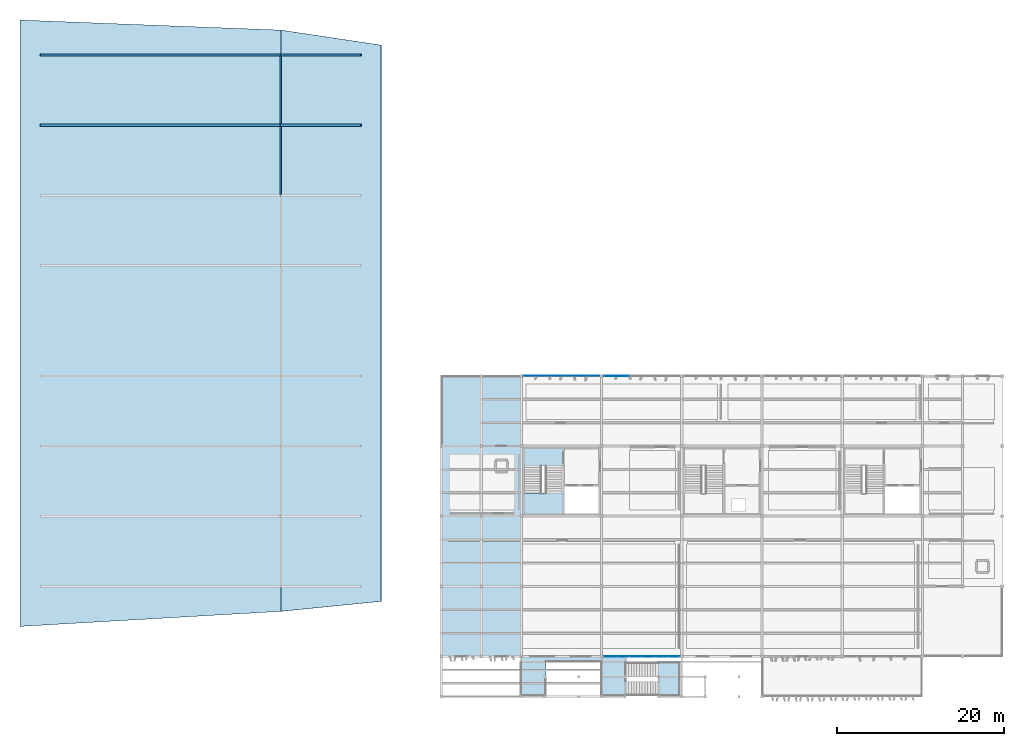
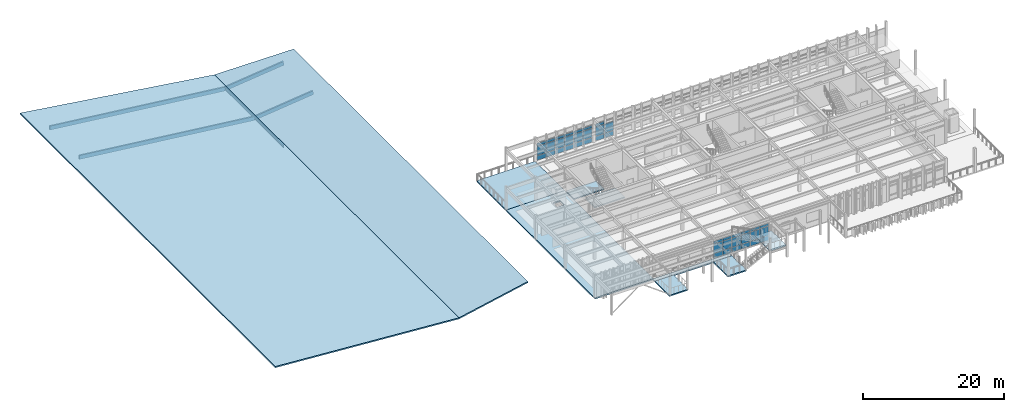
# One storey, part 11 of 18: 41 plates, 10 slabs, 4 members, 2 beams, 5 elements without a shape of their own.
"""IFC4 building model written with IfcOpenShell, lengths in metres."""

from ifc_helpers import new_model, si_unit, direction, frame, origin, origin_2d, place, context, subcontext, project, spatial, polyline, rectangle, i_section, outline, extrude, material, layer, layer_set, material_profile, profile_set, type_object, element, aggregate, save


model = new_model("IFC4")

# Units and contexts
model_context = context("Model", 3, precision=1e-05, world=origin(), true_north=direction((0.0, 1.0)))
body_context = subcontext(model_context, "Body", "Model", "MODEL_VIEW")
ifc_project = project(units=[si_unit("LENGTHUNIT", "METRE"), si_unit("AREAUNIT", "SQUARE_METRE"), si_unit("VOLUMEUNIT", "CUBIC_METRE"), si_unit("PLANEANGLEUNIT", "RADIAN"), si_unit("MASSUNIT", "GRAM", prefix="KILO")], contexts=[model_context])

# Site, building, storey
site_placement = place(None, origin())
site = spatial("IfcSite", under=ifc_project, at=site_placement, CompositionType="ELEMENT")
building_placement = place(site_placement, origin())
building = spatial("IfcBuilding", under=site, at=building_placement, Name="Kolvemor Railside Polytechnic", CompositionType="ELEMENT")
storey_placement = place(building_placement, frame((0.0, 0.0, 18.60009765625)))
storey = spatial("IfcBuildingStorey", under=building, at=storey_placement, Name="L04", CompositionType="ELEMENT", Elevation=18.60009765625)

# Beams
ifc_material_1 = material(Name="Steel S355", Category="steel")
ifc_material_profile_1 = material_profile(ifc_material_1, i_section(OverallWidth=0.19091796875, OverallDepth=0.4599609375, WebThickness=0.010009765625, FlangeThickness=0.01611328125, FilletRadius=0.012939453125, at=origin_2d()), Name="W460x82")
ifc_profile_set_1 = profile_set([ifc_material_profile_1], Name="Steel S355")
beam_type = type_object("IfcBeamType", Name="BM-ST-ROOF", PredefinedType="BEAM", material=ifc_profile_set_1)
beam_1_placement = place(storey_placement, frame((38.39990234375, 60.0, -0.4501953125), z_axis=(0.0, 1.0, 0.0), x_axis=(-1.0, 0.0, 0.0)))
element("IfcBeam", 1, at=beam_1_placement, inside=storey, type_object=beam_type, Name="Lecture Wing Fold Beam B-ST1-60", PredefinedType="BEAM", context=body_context, shape_type="SweptSolid", body=[
    extrude(i_section(OverallWidth=0.19091796875, OverallDepth=0.4599609375, WebThickness=0.010009765625, FlangeThickness=0.01611328125, FilletRadius=0.012939453125, at=origin_2d()), origin(), (0.0, 0.0, 1.0), 8.39990234375),
])
beam_2_placement = place(storey_placement, frame((38.39990234375, 68.39990234375, -0.4501953125), z_axis=(0.0, 1.0, 0.0), x_axis=(-1.0, 0.0, 0.0)))
element("IfcBeam", 2, at=beam_2_placement, inside=storey, type_object=beam_type, Name="Lecture Wing Fold Beam B-ST1-68", PredefinedType="BEAM", context=body_context, shape_type="SweptSolid", body=[
    extrude(i_section(OverallWidth=0.19091796875, OverallDepth=0.4599609375, WebThickness=0.010009765625, FlangeThickness=0.01611328125, FilletRadius=0.012939453125, at=origin_2d()), origin(), (0.0, 0.0, 1.0), 8.400146484375),
])

# Members
ifc_material_2 = material(Name="Glulam GL28h", Category="wood")
ifc_material_profile_2 = material_profile(ifc_material_2, rectangle(XDim=0.264892578125, YDim=0.679931640625, at=origin_2d()), Name="GL265x680")
ifc_profile_set_2 = profile_set([ifc_material_profile_2], Name="Glulam GL28h")
member_type = type_object("IfcMemberType", Name="MEM-WG-RAFTER", PredefinedType="RAFTER", material=ifc_profile_set_2)
member_1_placement = place(storey_placement, frame((9.60009765625, 68.39990234375, 2.699951171875), z_axis=(0.993576875742, 0.0, -0.113159144532), x_axis=(0.0, 1.0, 0.0)))
element("IfcMember", 3, at=member_1_placement, inside=storey, type_object=member_type, Name="Lecture Wing Swept Rafter RF-V3W-68", PredefinedType="RAFTER", context=body_context, shape_type="SweptSolid", body=[
    extrude(rectangle(XDim=0.264892578125, YDim=0.679931640625, at=origin_2d()), origin(), (0.0, 0.0, 1.0), 28.986083984375),
])
member_2_placement = place(storey_placement, frame((38.39990234375, 68.39990234375, -0.580078125), z_axis=(0.993498260898, 0.0, 0.113847290667), x_axis=(0.0, 1.0, 0.0)))
element("IfcMember", 4, at=member_2_placement, inside=storey, type_object=member_type, Name="Lecture Wing Counter Rafter RF-V3E-68", PredefinedType="RAFTER", context=body_context, shape_type="SweptSolid", body=[
    extrude(rectangle(XDim=0.264892578125, YDim=0.679931640625, at=origin_2d()), origin(), (0.0, 0.0, 1.0), 9.662841796875),
])
member_3_placement = place(storey_placement, frame((9.60009765625, 76.800048828125, 2.699951171875), z_axis=(0.993576875742, 0.0, -0.113159144532), x_axis=(0.0, 1.0, 0.0)))
element("IfcMember", 5, at=member_3_placement, inside=storey, type_object=member_type, Name="Lecture Wing Swept Rafter RF-V3W-76", PredefinedType="RAFTER", context=body_context, shape_type="SweptSolid", body=[
    extrude(rectangle(XDim=0.264892578125, YDim=0.679931640625, at=origin_2d()), origin(), (0.0, 0.0, 1.0), 28.986083984375),
])
member_4_placement = place(storey_placement, frame((38.39990234375, 76.800048828125, -0.580078125), z_axis=(0.993498260898, 0.0, 0.113847290667), x_axis=(0.0, 1.0, 0.0)))
element("IfcMember", 6, at=member_4_placement, inside=storey, type_object=member_type, Name="Lecture Wing Counter Rafter RF-V3E-76", PredefinedType="RAFTER", context=body_context, shape_type="SweptSolid", body=[
    extrude(rectangle(XDim=0.264892578125, YDim=0.679931640625, at=origin_2d()), origin(), (0.0, 0.0, 1.0), 9.662841796875),
])

# Curtain wall, plates
ifc_material_3 = material(Name="Anodised marine aluminium and laminated low-E glass", Category="aluminium")
ifc_layer_1 = layer(ifc_material_3, 0.179931640625, Name="CW-UNIT-STD")
ifc_layer_set_1 = layer_set([ifc_layer_1], Name="Anodised marine aluminium and laminated low-E glass")
curtain_wall_type = type_object("IfcCurtainWallType", Name="CW-UNIT-STD", PredefinedType="USERDEFINED", material=ifc_layer_set_1)
curtain_wall_1_placement = place(storey_placement, origin())
curtain_wall_1 = element("IfcCurtainWall", 7, at=curtain_wall_1_placement, inside=storey, type_object=curtain_wall_type, Name="Curtain Wall L04-131", ObjectType="UNITISED CURTAIN WALL", PredefinedType="USERDEFINED")
ifc_material_4 = material(Name="Hurricane-laminated solar-control low-E glass", Category="glass")
ifc_layer_2 = layer(ifc_material_4, 0.031982421875, Name="CWP-GLZ-06")
ifc_layer_set_2 = layer_set([ifc_layer_2], Name="Hurricane-laminated solar-control low-E glass")
plate_type_1 = type_object("IfcPlateType", Name="CWP-GLZ-06", PredefinedType="CURTAIN_PANEL", material=ifc_layer_set_2)
plate_1_placement = place(storey_placement, frame((75.78369140625, 38.39990234375, 0.06494140625), z_axis=(0.0, 0.0, 1.0), x_axis=(-1.0, 0.0, 0.0)))
plate_1 = element("IfcPlate", 8, at=plate_1_placement, type_object=plate_type_1, Name="CW-STD panel 1.1", PredefinedType="CURTAIN_PANEL", context=body_context, shape_type="SweptSolid", body=[
    extrude(rectangle(XDim=1.422607421875, YDim=0.031982421875, at=origin_2d()), origin(), (0.0, 0.0, 1.0), 0.802490234375),
])
plate_2_placement = place(storey_placement, frame((75.78369140625, 38.39990234375, 0.9326171875), z_axis=(0.0, 0.0, 1.0), x_axis=(-1.0, 0.0, 0.0)))
plate_2 = element("IfcPlate", 9, at=plate_2_placement, type_object=plate_type_1, Name="CW-STD panel 1.2", PredefinedType="CURTAIN_PANEL", context=body_context, shape_type="SweptSolid", body=[
    extrude(rectangle(XDim=1.422607421875, YDim=0.031982421875, at=origin_2d()), origin(), (0.0, 0.0, 1.0), 1.554931640625),
])
plate_3_placement = place(storey_placement, frame((75.78369140625, 38.39990234375, 2.55224609375), z_axis=(0.0, 0.0, 1.0), x_axis=(-1.0, 0.0, 0.0)))
plate_3 = element("IfcPlate", 10, at=plate_3_placement, type_object=plate_type_1, Name="CW-STD panel 1.3", PredefinedType="CURTAIN_PANEL", context=body_context, shape_type="SweptSolid", body=[
    extrude(rectangle(XDim=1.422607421875, YDim=0.031982421875, at=origin_2d()), origin(), (0.0, 0.0, 1.0), 0.452392578125),
])
plate_4_placement = place(storey_placement, frame((74.280029296875, 38.39990234375, 0.06494140625), z_axis=(0.0, 0.0, 1.0), x_axis=(-1.0, 0.0, 0.0)))
plate_4 = element("IfcPlate", 11, at=plate_4_placement, type_object=plate_type_1, Name="CW-STD panel 2.1", PredefinedType="CURTAIN_PANEL", context=body_context, shape_type="SweptSolid", body=[
    extrude(rectangle(XDim=1.455078125, YDim=0.031982421875, at=origin_2d()), origin(), (0.0, 0.0, 1.0), 0.802490234375),
])
plate_5_placement = place(storey_placement, frame((74.280029296875, 38.39990234375, 0.9326171875), z_axis=(0.0, 0.0, 1.0), x_axis=(-1.0, 0.0, 0.0)))
plate_5 = element("IfcPlate", 12, at=plate_5_placement, type_object=plate_type_1, Name="CW-STD panel 2.2", PredefinedType="CURTAIN_PANEL", context=body_context, shape_type="SweptSolid", body=[
    extrude(rectangle(XDim=1.455078125, YDim=0.031982421875, at=origin_2d()), origin(), (0.0, 0.0, 1.0), 1.554931640625),
])
plate_6_placement = place(storey_placement, frame((74.280029296875, 38.39990234375, 2.55224609375), z_axis=(0.0, 0.0, 1.0), x_axis=(-1.0, 0.0, 0.0)))
plate_6 = element("IfcPlate", 13, at=plate_6_placement, type_object=plate_type_1, Name="CW-STD panel 2.3", PredefinedType="CURTAIN_PANEL", context=body_context, shape_type="SweptSolid", body=[
    extrude(rectangle(XDim=1.455078125, YDim=0.031982421875, at=origin_2d()), origin(), (0.0, 0.0, 1.0), 0.452392578125),
])
plate_7_placement = place(storey_placement, frame((72.760009765625, 38.39990234375, 0.06494140625), z_axis=(0.0, 0.0, 1.0), x_axis=(-1.0, 0.0, 0.0)))
plate_7 = element("IfcPlate", 14, at=plate_7_placement, type_object=plate_type_1, Name="CW-STD panel 3.1", PredefinedType="CURTAIN_PANEL", context=body_context, shape_type="SweptSolid", body=[
    extrude(rectangle(XDim=1.455078125, YDim=0.031982421875, at=origin_2d()), origin(), (0.0, 0.0, 1.0), 0.802490234375),
])
plate_8_placement = place(storey_placement, frame((72.760009765625, 38.39990234375, 0.9326171875), z_axis=(0.0, 0.0, 1.0), x_axis=(-1.0, 0.0, 0.0)))
plate_8 = element("IfcPlate", 15, at=plate_8_placement, type_object=plate_type_1, Name="CW-STD panel 3.2", PredefinedType="CURTAIN_PANEL", context=body_context, shape_type="SweptSolid", body=[
    extrude(rectangle(XDim=1.455078125, YDim=0.031982421875, at=origin_2d()), origin(), (0.0, 0.0, 1.0), 1.554931640625),
])
plate_9_placement = place(storey_placement, frame((72.760009765625, 38.39990234375, 2.55224609375), z_axis=(0.0, 0.0, 1.0), x_axis=(-1.0, 0.0, 0.0)))
plate_9 = element("IfcPlate", 16, at=plate_9_placement, type_object=plate_type_1, Name="CW-STD panel 3.3", PredefinedType="CURTAIN_PANEL", context=body_context, shape_type="SweptSolid", body=[
    extrude(rectangle(XDim=1.455078125, YDim=0.031982421875, at=origin_2d()), origin(), (0.0, 0.0, 1.0), 0.452392578125),
])
plate_10_placement = place(storey_placement, frame((71.239990234375, 38.39990234375, 0.06494140625), z_axis=(0.0, 0.0, 1.0), x_axis=(-1.0, 0.0, 0.0)))
plate_10 = element("IfcPlate", 17, at=plate_10_placement, type_object=plate_type_1, Name="CW-STD panel 4.1", PredefinedType="CURTAIN_PANEL", context=body_context, shape_type="SweptSolid", body=[
    extrude(rectangle(XDim=1.455078125, YDim=0.031982421875, at=origin_2d()), origin(), (0.0, 0.0, 1.0), 0.802490234375),
])
plate_11_placement = place(storey_placement, frame((71.239990234375, 38.39990234375, 0.9326171875), z_axis=(0.0, 0.0, 1.0), x_axis=(-1.0, 0.0, 0.0)))
plate_11 = element("IfcPlate", 18, at=plate_11_placement, type_object=plate_type_1, Name="CW-STD panel 4.2", PredefinedType="CURTAIN_PANEL", context=body_context, shape_type="SweptSolid", body=[
    extrude(rectangle(XDim=1.455078125, YDim=0.031982421875, at=origin_2d()), origin(), (0.0, 0.0, 1.0), 1.554931640625),
])
plate_12_placement = place(storey_placement, frame((71.239990234375, 38.39990234375, 2.55224609375), z_axis=(0.0, 0.0, 1.0), x_axis=(-1.0, 0.0, 0.0)))
plate_12 = element("IfcPlate", 19, at=plate_12_placement, type_object=plate_type_1, Name="CW-STD panel 4.3", PredefinedType="CURTAIN_PANEL", context=body_context, shape_type="SweptSolid", body=[
    extrude(rectangle(XDim=1.455078125, YDim=0.031982421875, at=origin_2d()), origin(), (0.0, 0.0, 1.0), 0.452392578125),
])
plate_13_placement = place(storey_placement, frame((69.719970703125, 38.39990234375, 0.06494140625), z_axis=(0.0, 0.0, 1.0), x_axis=(-1.0, 0.0, 0.0)))
plate_13 = element("IfcPlate", 20, at=plate_13_placement, type_object=plate_type_1, Name="CW-STD panel 5.1", PredefinedType="CURTAIN_PANEL", context=body_context, shape_type="SweptSolid", body=[
    extrude(rectangle(XDim=1.455078125, YDim=0.031982421875, at=origin_2d()), origin(), (0.0, 0.0, 1.0), 0.802490234375),
])
plate_14_placement = place(storey_placement, frame((69.719970703125, 38.39990234375, 0.9326171875), z_axis=(0.0, 0.0, 1.0), x_axis=(-1.0, 0.0, 0.0)))
plate_14 = element("IfcPlate", 21, at=plate_14_placement, type_object=plate_type_1, Name="CW-STD panel 5.2", PredefinedType="CURTAIN_PANEL", context=body_context, shape_type="SweptSolid", body=[
    extrude(rectangle(XDim=1.455078125, YDim=0.031982421875, at=origin_2d()), origin(), (0.0, 0.0, 1.0), 1.554931640625),
])
plate_15_placement = place(storey_placement, frame((69.719970703125, 38.39990234375, 2.55224609375), z_axis=(0.0, 0.0, 1.0), x_axis=(-1.0, 0.0, 0.0)))
plate_15 = element("IfcPlate", 22, at=plate_15_placement, type_object=plate_type_1, Name="CW-STD panel 5.3", PredefinedType="CURTAIN_PANEL", context=body_context, shape_type="SweptSolid", body=[
    extrude(rectangle(XDim=1.455078125, YDim=0.031982421875, at=origin_2d()), origin(), (0.0, 0.0, 1.0), 0.452392578125),
])
plate_16_placement = place(storey_placement, frame((68.21630859375, 38.39990234375, 0.06494140625), z_axis=(0.0, 0.0, 1.0), x_axis=(-1.0, 0.0, 0.0)))
plate_16 = element("IfcPlate", 23, at=plate_16_placement, type_object=plate_type_1, Name="CW-STD panel 6.1", PredefinedType="CURTAIN_PANEL", context=body_context, shape_type="SweptSolid", body=[
    extrude(rectangle(XDim=1.422607421875, YDim=0.031982421875, at=origin_2d()), origin(), (0.0, 0.0, 1.0), 0.802490234375),
])
plate_17_placement = place(storey_placement, frame((68.21630859375, 38.39990234375, 0.9326171875), z_axis=(0.0, 0.0, 1.0), x_axis=(-1.0, 0.0, 0.0)))
plate_17 = element("IfcPlate", 24, at=plate_17_placement, type_object=plate_type_1, Name="CW-STD panel 6.2", PredefinedType="CURTAIN_PANEL", context=body_context, shape_type="SweptSolid", body=[
    extrude(rectangle(XDim=1.422607421875, YDim=0.031982421875, at=origin_2d()), origin(), (0.0, 0.0, 1.0), 1.554931640625),
])
plate_18_placement = place(storey_placement, frame((68.21630859375, 38.39990234375, 2.55224609375), z_axis=(0.0, 0.0, 1.0), x_axis=(-1.0, 0.0, 0.0)))
plate_18 = element("IfcPlate", 25, at=plate_18_placement, type_object=plate_type_1, Name="CW-STD panel 6.3", PredefinedType="CURTAIN_PANEL", context=body_context, shape_type="SweptSolid", body=[
    extrude(rectangle(XDim=1.422607421875, YDim=0.031982421875, at=origin_2d()), origin(), (0.0, 0.0, 1.0), 0.452392578125),
])
aggregate(curtain_wall_1, [plate_1, plate_2, plate_3, plate_4, plate_5, plate_6, plate_7, plate_8, plate_9, plate_10, plate_11, plate_12, plate_13, plate_14, plate_15, plate_16, plate_17, plate_18])

curtain_wall_2_placement = place(storey_placement, origin())
curtain_wall_2 = element("IfcCurtainWall", 26, at=curtain_wall_2_placement, inside=storey, type_object=curtain_wall_type, Name="Curtain Wall L04-132", ObjectType="UNITISED CURTAIN WALL", PredefinedType="USERDEFINED")
ifc_material_5 = material(Name="Hurricane-laminated solar-control low-E glass", Category="glass")
ifc_layer_3 = layer(ifc_material_5, 0.033935546875, Name="CWP-GLZ-07")
ifc_layer_set_3 = layer_set([ifc_layer_3], Name="Hurricane-laminated solar-control low-E glass")
plate_type_2 = type_object("IfcPlateType", Name="CWP-GLZ-07", PredefinedType="CURTAIN_PANEL", material=ifc_layer_set_3)
plate_19_placement = place(storey_placement, frame((79.320068359375, 38.39990234375, 0.06494140625), z_axis=(0.0, 0.0, 1.0), x_axis=(-1.0, 0.0, 0.0)))
plate_19 = element("IfcPlate", 27, at=plate_19_placement, type_object=plate_type_2, Name="CW-STD panel 5.1", PredefinedType="CURTAIN_PANEL", context=body_context, shape_type="SweptSolid", body=[
    extrude(rectangle(XDim=1.455078125, YDim=0.033935546875, at=origin_2d()), origin(), (0.0, 0.0, 1.0), 0.802490234375),
])
plate_20_placement = place(storey_placement, frame((79.320068359375, 38.39990234375, 0.9326171875), z_axis=(0.0, 0.0, 1.0), x_axis=(-1.0, 0.0, 0.0)))
plate_20 = element("IfcPlate", 28, at=plate_20_placement, type_object=plate_type_2, Name="CW-STD panel 5.2", PredefinedType="CURTAIN_PANEL", context=body_context, shape_type="SweptSolid", body=[
    extrude(rectangle(XDim=1.455078125, YDim=0.033935546875, at=origin_2d()), origin(), (0.0, 0.0, 1.0), 1.554931640625),
])
plate_21_placement = place(storey_placement, frame((77.816162109375, 38.39990234375, 0.06494140625), z_axis=(0.0, 0.0, 1.0), x_axis=(-1.0, 0.0, 0.0)))
plate_21 = element("IfcPlate", 29, at=plate_21_placement, type_object=plate_type_2, Name="CW-STD panel 6.1", PredefinedType="CURTAIN_PANEL", context=body_context, shape_type="SweptSolid", body=[
    extrude(rectangle(XDim=1.422607421875, YDim=0.033935546875, at=origin_2d()), origin(), (0.0, 0.0, 1.0), 0.802490234375),
])
plate_22_placement = place(storey_placement, frame((77.816162109375, 38.39990234375, 0.9326171875), z_axis=(0.0, 0.0, 1.0), x_axis=(-1.0, 0.0, 0.0)))
plate_22 = element("IfcPlate", 30, at=plate_22_placement, type_object=plate_type_2, Name="CW-STD panel 6.2", PredefinedType="CURTAIN_PANEL", context=body_context, shape_type="SweptSolid", body=[
    extrude(rectangle(XDim=1.422607421875, YDim=0.033935546875, at=origin_2d()), origin(), (0.0, 0.0, 1.0), 1.554931640625),
])
plate_23_placement = place(storey_placement, frame((77.816162109375, 38.39990234375, 2.55224609375), z_axis=(0.0, 0.0, 1.0), x_axis=(-1.0, 0.0, 0.0)))
plate_23 = element("IfcPlate", 31, at=plate_23_placement, type_object=plate_type_2, Name="CW-STD panel 6.3", PredefinedType="CURTAIN_PANEL", context=body_context, shape_type="SweptSolid", body=[
    extrude(rectangle(XDim=1.422607421875, YDim=0.033935546875, at=origin_2d()), origin(), (0.0, 0.0, 1.0), 0.452392578125),
])
aggregate(curtain_wall_2, [plate_19, plate_20, plate_21, plate_22, plate_23])

curtain_wall_3_placement = place(storey_placement, origin())
curtain_wall_3 = element("IfcCurtainWall", 32, at=curtain_wall_3_placement, inside=storey, type_object=curtain_wall_type, Name="Curtain Wall L04-104", ObjectType="UNITISED CURTAIN WALL", PredefinedType="USERDEFINED")
ifc_material_6 = material(Name="Hurricane-laminated solar-control low-E glass", Category="glass")
ifc_layer_4 = layer(ifc_material_6, 0.0380859375, Name="CWP-GLZ-09")
ifc_layer_set_4 = layer_set([ifc_layer_4], Name="Hurricane-laminated solar-control low-E glass")
plate_type_3 = type_object("IfcPlateType", Name="CWP-GLZ-09", PredefinedType="CURTAIN_PANEL", material=ifc_layer_set_4)
plate_24_placement = place(storey_placement, frame((77.81884765625, 4.800048828125, 0.074951171875), z_axis=(0.0, 0.0, 1.0), x_axis=(1.0, 0.0, 0.0)))
plate_24 = element("IfcPlate", 33, at=plate_24_placement, type_object=plate_type_3, Name="CW-STD panel 1.1", PredefinedType="CURTAIN_PANEL", context=body_context, shape_type="SweptSolid", body=[
    extrude(rectangle(XDim=1.407470703125, YDim=0.0380859375, at=origin_2d()), origin(), (0.0, 0.0, 1.0), 0.78759765625),
])
plate_25_placement = place(storey_placement, frame((77.81884765625, 4.800048828125, 0.9375), z_axis=(0.0, 0.0, 1.0), x_axis=(1.0, 0.0, 0.0)))
plate_25 = element("IfcPlate", 34, at=plate_25_placement, type_object=plate_type_3, Name="CW-STD panel 1.2", PredefinedType="CURTAIN_PANEL", context=body_context, shape_type="SweptSolid", body=[
    extrude(rectangle(XDim=1.407470703125, YDim=0.0380859375, at=origin_2d()), origin(), (0.0, 0.0, 1.0), 1.544921875),
])
plate_26_placement = place(storey_placement, frame((77.81884765625, 4.800048828125, 2.557373046875), z_axis=(0.0, 0.0, 1.0), x_axis=(1.0, 0.0, 0.0)))
plate_26 = element("IfcPlate", 35, at=plate_26_placement, type_object=plate_type_3, Name="CW-STD panel 1.3", PredefinedType="CURTAIN_PANEL", context=body_context, shape_type="SweptSolid", body=[
    extrude(rectangle(XDim=1.407470703125, YDim=0.0380859375, at=origin_2d()), origin(), (0.0, 0.0, 1.0), 0.4375),
])
plate_27_placement = place(storey_placement, frame((79.320068359375, 4.800048828125, 0.074951171875), z_axis=(0.0, 0.0, 1.0), x_axis=(1.0, 0.0, 0.0)))
plate_27 = element("IfcPlate", 36, at=plate_27_placement, type_object=plate_type_3, Name="CW-STD panel 2.1", PredefinedType="CURTAIN_PANEL", context=body_context, shape_type="SweptSolid", body=[
    extrude(rectangle(XDim=1.445068359375, YDim=0.0380859375, at=origin_2d()), origin(), (0.0, 0.0, 1.0), 0.78759765625),
])
plate_28_placement = place(storey_placement, frame((79.320068359375, 4.800048828125, 0.9375), z_axis=(0.0, 0.0, 1.0), x_axis=(1.0, 0.0, 0.0)))
plate_28 = element("IfcPlate", 37, at=plate_28_placement, type_object=plate_type_3, Name="CW-STD panel 2.2", PredefinedType="CURTAIN_PANEL", context=body_context, shape_type="SweptSolid", body=[
    extrude(rectangle(XDim=1.445068359375, YDim=0.0380859375, at=origin_2d()), origin(), (0.0, 0.0, 1.0), 1.544921875),
])
plate_29_placement = place(storey_placement, frame((79.320068359375, 4.800048828125, 2.557373046875), z_axis=(0.0, 0.0, 1.0), x_axis=(1.0, 0.0, 0.0)))
plate_29 = element("IfcPlate", 38, at=plate_29_placement, type_object=plate_type_3, Name="CW-STD panel 2.3", PredefinedType="CURTAIN_PANEL", context=body_context, shape_type="SweptSolid", body=[
    extrude(rectangle(XDim=1.445068359375, YDim=0.0380859375, at=origin_2d()), origin(), (0.0, 0.0, 1.0), 0.4375),
])
plate_30_placement = place(storey_placement, frame((80.840087890625, 4.800048828125, 0.074951171875), z_axis=(0.0, 0.0, 1.0), x_axis=(1.0, 0.0, 0.0)))
plate_30 = element("IfcPlate", 39, at=plate_30_placement, type_object=plate_type_3, Name="CW-STD panel 3.1", PredefinedType="CURTAIN_PANEL", context=body_context, shape_type="SweptSolid", body=[
    extrude(rectangle(XDim=1.445068359375, YDim=0.0380859375, at=origin_2d()), origin(), (0.0, 0.0, 1.0), 0.78759765625),
])
plate_31_placement = place(storey_placement, frame((80.840087890625, 4.800048828125, 0.9375), z_axis=(0.0, 0.0, 1.0), x_axis=(1.0, 0.0, 0.0)))
plate_31 = element("IfcPlate", 40, at=plate_31_placement, type_object=plate_type_3, Name="CW-STD panel 3.2", PredefinedType="CURTAIN_PANEL", context=body_context, shape_type="SweptSolid", body=[
    extrude(rectangle(XDim=1.445068359375, YDim=0.0380859375, at=origin_2d()), origin(), (0.0, 0.0, 1.0), 1.544921875),
])
plate_32_placement = place(storey_placement, frame((80.840087890625, 4.800048828125, 2.557373046875), z_axis=(0.0, 0.0, 1.0), x_axis=(1.0, 0.0, 0.0)))
plate_32 = element("IfcPlate", 41, at=plate_32_placement, type_object=plate_type_3, Name="CW-STD panel 3.3", PredefinedType="CURTAIN_PANEL", context=body_context, shape_type="SweptSolid", body=[
    extrude(rectangle(XDim=1.445068359375, YDim=0.0380859375, at=origin_2d()), origin(), (0.0, 0.0, 1.0), 0.4375),
])
plate_33_placement = place(storey_placement, frame((82.360107421875, 4.800048828125, 0.074951171875), z_axis=(0.0, 0.0, 1.0), x_axis=(1.0, 0.0, 0.0)))
plate_33 = element("IfcPlate", 42, at=plate_33_placement, type_object=plate_type_3, Name="CW-STD panel 4.1", PredefinedType="CURTAIN_PANEL", context=body_context, shape_type="SweptSolid", body=[
    extrude(rectangle(XDim=1.445068359375, YDim=0.0380859375, at=origin_2d()), origin(), (0.0, 0.0, 1.0), 0.78759765625),
])
plate_34_placement = place(storey_placement, frame((82.360107421875, 4.800048828125, 0.9375), z_axis=(0.0, 0.0, 1.0), x_axis=(1.0, 0.0, 0.0)))
plate_34 = element("IfcPlate", 43, at=plate_34_placement, type_object=plate_type_3, Name="CW-STD panel 4.2", PredefinedType="CURTAIN_PANEL", context=body_context, shape_type="SweptSolid", body=[
    extrude(rectangle(XDim=1.445068359375, YDim=0.0380859375, at=origin_2d()), origin(), (0.0, 0.0, 1.0), 1.544921875),
])
plate_35_placement = place(storey_placement, frame((82.360107421875, 4.800048828125, 2.557373046875), z_axis=(0.0, 0.0, 1.0), x_axis=(1.0, 0.0, 0.0)))
plate_35 = element("IfcPlate", 44, at=plate_35_placement, type_object=plate_type_3, Name="CW-STD panel 4.3", PredefinedType="CURTAIN_PANEL", context=body_context, shape_type="SweptSolid", body=[
    extrude(rectangle(XDim=1.445068359375, YDim=0.0380859375, at=origin_2d()), origin(), (0.0, 0.0, 1.0), 0.4375),
])
plate_36_placement = place(storey_placement, frame((83.8798828125, 4.800048828125, 0.074951171875), z_axis=(0.0, 0.0, 1.0), x_axis=(1.0, 0.0, 0.0)))
plate_36 = element("IfcPlate", 45, at=plate_36_placement, type_object=plate_type_3, Name="CW-STD panel 5.1", PredefinedType="CURTAIN_PANEL", context=body_context, shape_type="SweptSolid", body=[
    extrude(rectangle(XDim=1.445068359375, YDim=0.0380859375, at=origin_2d()), origin(), (0.0, 0.0, 1.0), 0.78759765625),
])
plate_37_placement = place(storey_placement, frame((83.8798828125, 4.800048828125, 0.9375), z_axis=(0.0, 0.0, 1.0), x_axis=(1.0, 0.0, 0.0)))
plate_37 = element("IfcPlate", 46, at=plate_37_placement, type_object=plate_type_3, Name="CW-STD panel 5.2", PredefinedType="CURTAIN_PANEL", context=body_context, shape_type="SweptSolid", body=[
    extrude(rectangle(XDim=1.445068359375, YDim=0.0380859375, at=origin_2d()), origin(), (0.0, 0.0, 1.0), 1.544921875),
])
plate_38_placement = place(storey_placement, frame((83.8798828125, 4.800048828125, 2.557373046875), z_axis=(0.0, 0.0, 1.0), x_axis=(1.0, 0.0, 0.0)))
plate_38 = element("IfcPlate", 47, at=plate_38_placement, type_object=plate_type_3, Name="CW-STD panel 5.3", PredefinedType="CURTAIN_PANEL", context=body_context, shape_type="SweptSolid", body=[
    extrude(rectangle(XDim=1.445068359375, YDim=0.0380859375, at=origin_2d()), origin(), (0.0, 0.0, 1.0), 0.4375),
])
plate_39_placement = place(storey_placement, frame((85.38134765625, 4.800048828125, 0.074951171875), z_axis=(0.0, 0.0, 1.0), x_axis=(1.0, 0.0, 0.0)))
plate_39 = element("IfcPlate", 48, at=plate_39_placement, type_object=plate_type_3, Name="CW-STD panel 6.1", PredefinedType="CURTAIN_PANEL", context=body_context, shape_type="SweptSolid", body=[
    extrude(rectangle(XDim=1.407470703125, YDim=0.0380859375, at=origin_2d()), origin(), (0.0, 0.0, 1.0), 0.78759765625),
])
plate_40_placement = place(storey_placement, frame((85.38134765625, 4.800048828125, 0.9375), z_axis=(0.0, 0.0, 1.0), x_axis=(1.0, 0.0, 0.0)))
plate_40 = element("IfcPlate", 49, at=plate_40_placement, type_object=plate_type_3, Name="CW-STD panel 6.2", PredefinedType="CURTAIN_PANEL", context=body_context, shape_type="SweptSolid", body=[
    extrude(rectangle(XDim=1.407470703125, YDim=0.0380859375, at=origin_2d()), origin(), (0.0, 0.0, 1.0), 1.544921875),
])
plate_41_placement = place(storey_placement, frame((85.38134765625, 4.800048828125, 2.557373046875), z_axis=(0.0, 0.0, 1.0), x_axis=(1.0, 0.0, 0.0)))
plate_41 = element("IfcPlate", 50, at=plate_41_placement, type_object=plate_type_3, Name="CW-STD panel 6.3", PredefinedType="CURTAIN_PANEL", context=body_context, shape_type="SweptSolid", body=[
    extrude(rectangle(XDim=1.407470703125, YDim=0.0380859375, at=origin_2d()), origin(), (0.0, 0.0, 1.0), 0.4375),
])
aggregate(curtain_wall_3, [plate_24, plate_25, plate_26, plate_27, plate_28, plate_29, plate_30, plate_31, plate_32, plate_33, plate_34, plate_35, plate_36, plate_37, plate_38, plate_39, plate_40, plate_41])

# Slabs
ifc_material_7 = material(Name="Cross-laminated timber CLT E1", Category="wood")
ifc_layer_5 = layer(ifc_material_7, 0.239990234375, Name="SLB-CLT-240")
ifc_layer_set_5 = layer_set([ifc_layer_5], Name="Cross-laminated timber CLT E1")
slab_type_1 = type_object("IfcSlabType", Name="SLB-CLT-240", PredefinedType="FLOOR", material=ifc_layer_set_5)
slab_1_placement = place(storey_placement, frame((0.0, 0.0, -0.239990234375)))
element("IfcSlab", 51, at=slab_1_placement, inside=storey, type_object=slab_type_1, Name="V2 Shifted Band L04 CLT Slab L04-80", PredefinedType="FLOOR", context=body_context, shape_type="SweptSolid", body=[
    extrude(outline(polyline([(57.60009765625, 4.800048828125), (67.199951171875, 4.800048828125), (67.199951171875, 30.0), (57.60009765625, 30.0), (57.60009765625, 4.800048828125)]), holes=[polyline([(64.199951171875, 27.0), (65.39990234375, 27.0), (65.39990234375, 28.199951171875), (64.199951171875, 28.199951171875), (64.199951171875, 27.0)])]), origin(), (0.0, 0.0, 1.0), 0.239990234375),
])
ifc_material_8 = material(Name="Concrete C40/50", Category="concrete")
ifc_layer_6 = layer(ifc_material_8, 0.219970703125, Name="SLB-LND-170")
ifc_layer_set_6 = layer_set([ifc_layer_6], Name="Concrete C40/50")
slab_type_2 = type_object("IfcSlabType", Name="SLB-LND-170", PredefinedType="LANDING", material=ifc_layer_set_6)
slab_2_placement = place(storey_placement, frame((0.0, 0.0, -0.22021484375)))
element("IfcSlab", 52, at=slab_2_placement, inside=storey, type_object=slab_type_2, Name="External Zigzag Stair Arrival Landing L04", PredefinedType="LANDING", context=body_context, shape_type="SweptSolid", body=[
    extrude(outline(polyline([(67.10009765625, 0.050048828125), (70.14990234375, 0.050048828125), (70.14990234375, 4.14990234375), (67.10009765625, 4.14990234375), (67.10009765625, 0.050048828125)])), origin(), (0.0, 0.0, 1.0), 0.22021484375),
])
slab_3_placement = place(storey_placement, frame((0.0, 0.0, -0.22021484375)))
element("IfcSlab", 53, at=slab_3_placement, inside=storey, type_object=slab_type_2, Name="External Zigzag Stair Departure Landing L04", PredefinedType="LANDING", context=body_context, shape_type="SweptSolid", body=[
    extrude(outline(polyline([(76.699951171875, 0.050048828125), (79.75, 0.050048828125), (79.75, 4.14990234375), (76.699951171875, 4.14990234375), (76.699951171875, 0.050048828125)])), origin(), (0.0, 0.0, 1.0), 0.22021484375),
])
slab_4_placement = place(storey_placement, frame((0.0, 0.0, -0.22021484375)))
element("IfcSlab", 54, at=slab_4_placement, inside=storey, type_object=slab_type_2, Name="External Zigzag Rear Gallery L04-1", PredefinedType="LANDING", context=body_context, shape_type="SweptSolid", body=[
    extrude(outline(polyline([(67.10009765625, 4.159912109375), (79.75, 4.159912109375), (79.75, 4.780029296875), (67.10009765625, 4.780029296875), (67.10009765625, 4.159912109375)])), origin(), (0.0, 0.0, 1.0), 0.22021484375),
])

# Stair, slab
ifc_material_9 = material(Name="Steel S355", Category="steel")
stair_type_1 = type_object("IfcStairType", Name="STR-EXT-ZIG", PredefinedType="HALF_TURN_STAIR", material=ifc_material_9)
stair_1_placement = place(storey_placement, origin())
stair_1 = element("IfcStair", 55, at=stair_1_placement, inside=storey, type_object=stair_type_1, Name="External Zigzag Terrace Stair (L04 to L05)", PredefinedType="HALF_TURN_STAIR")
slab_5_placement = place(storey_placement, frame((0.0, 0.0, 1.8798828125)))
slab_5 = element("IfcSlab", 56, at=slab_5_placement, type_object=slab_type_2, Name="ST-EXT-L04 landing 1", PredefinedType="LANDING", context=body_context, shape_type="SweptSolid", body=[
    extrude(outline(polyline([(83.550048828125, 0.050048828125), (86.219970703125, 0.050048828125), (86.219970703125, 4.14990234375), (83.550048828125, 4.14990234375), (83.550048828125, 0.050048828125)])), origin(), (0.0, 0.0, 1.0), 0.219970703125),
])
aggregate(stair_1, [slab_5])

# Slab
ifc_material_10 = material(Name="Concrete C40/50", Category="concrete")
ifc_layer_7 = layer(ifc_material_10, 0.199951171875, Name="SLB-LND-200")
ifc_layer_set_7 = layer_set([ifc_layer_7], Name="Concrete C40/50")
slab_type_3 = type_object("IfcSlabType", Name="SLB-LND-200", PredefinedType="LANDING", material=ifc_layer_set_7)
slab_6_placement = place(storey_placement, frame((0.0, 0.0, -0.2001953125)))
element("IfcSlab", 57, at=slab_6_placement, inside=storey, type_object=slab_type_3, Name="ST-1 Floor Landing L04", PredefinedType="LANDING", context=body_context, shape_type="SweptSolid", body=[
    extrude(outline(polyline([(67.360107421875, 27.60009765625), (72.2900390625, 27.60009765625), (72.2900390625, 29.840087890625), (67.360107421875, 29.840087890625), (67.360107421875, 27.60009765625)])), origin(), (0.0, 0.0, 1.0), 0.2001953125),
])

# Stair, slab
ifc_material_11 = material(Name="Concrete C40/50", Category="concrete")
stair_type_2 = type_object("IfcStairType", Name="STR-CORE-420", PredefinedType="HALF_TURN_STAIR", material=ifc_material_11)
stair_2_placement = place(storey_placement, origin())
stair_2 = element("IfcStair", 58, at=stair_2_placement, inside=storey, type_object=stair_type_2, Name="Core Stair ST-1 (L04 to L05)", PredefinedType="HALF_TURN_STAIR")
slab_7_placement = place(storey_placement, frame((0.0, 0.0, 1.89990234375)))
slab_7 = element("IfcSlab", 59, at=slab_7_placement, type_object=slab_type_3, Name="ST-1-L04 landing 1", PredefinedType="LANDING", context=body_context, shape_type="SweptSolid", body=[
    extrude(outline(polyline([(67.35009765625, 21.75), (72.300048828125, 21.75), (72.300048828125, 24.39990234375), (67.35009765625, 24.39990234375), (67.35009765625, 21.75)])), origin(), (0.0, 0.0, 1.0), 0.199951171875),
])
aggregate(stair_2, [slab_7])

# Slabs
ifc_material_12 = material(Name="Cross-laminated timber CLT E1", Category="wood")
ifc_layer_8 = layer(ifc_material_12, 0.22998046875, Name="SLB-TER-230")
ifc_layer_set_8 = layer_set([ifc_layer_8], Name="Cross-laminated timber CLT E1")
slab_type_4 = type_object("IfcSlabType", Name="SLB-TER-230", PredefinedType="FLOOR", material=ifc_layer_set_8)
slab_8_placement = place(storey_placement, frame((0.0, 0.0, -0.22998046875)))
element("IfcSlab", 60, at=slab_8_placement, inside=storey, type_object=slab_type_4, Name="Corner Study Terrace L04-NW L04-98", PredefinedType="FLOOR", context=body_context, shape_type="SweptSolid", body=[
    extrude(outline(polyline([(57.60009765625, 30.0), (67.199951171875, 30.0), (67.199951171875, 38.39990234375), (57.60009765625, 38.39990234375), (57.60009765625, 30.0)])), origin(), (0.0, 0.0, 1.0), 0.22998046875),
])
ifc_material_13 = material(Name="Cross-laminated timber CLT E1", Category="wood")
ifc_layer_9 = layer(ifc_material_13, 0.215087890625, Name="SLB-WG-ROOF")
ifc_layer_set_9 = layer_set([ifc_layer_9], Name="Cross-laminated timber CLT E1")
slab_type_5 = type_object("IfcSlabType", Name="SLB-WG-ROOF", PredefinedType="ROOF", material=ifc_layer_set_9)
slab_9_placement = place(storey_placement, frame((7.199951171875, 8.39990234375, 3.5498046875), z_axis=(0.113046629377, 0.0, 0.993589683716), x_axis=(0.991961200674, 0.057230172797, -0.11286134714)))
element("IfcSlab", 61, at=slab_9_placement, inside=storey, type_object=slab_type_5, Name="Lecture Wing Avenue Swept Prow Roof", PredefinedType="ROOF", context=body_context, shape_type="SweptSolid", body=[
    extrude(outline(polyline([(0.0, 0.0), (31.452793870027115, 3.8163916471489756e-17), (35.436019485571144, 69.48602382821463), (4.15491613393455, 72.48110685976731), (0.0, 0.0)])), origin(), (0.0, 0.0, -1.0), 0.219970703125),
])
slab_10_placement = place(storey_placement, frame((38.39990234375, 10.199951171875, 0.0), z_axis=(-0.113419460118, 0.0, 0.993547193679), x_axis=(0.988679765281, 0.09886395358, 0.112863813537)))
element("IfcSlab", 62, at=slab_10_placement, inside=storey, type_object=slab_type_5, Name="Lecture Wing Courtyard Counter-Swept Roof", PredefinedType="ROOF", context=body_context, shape_type="SweptSolid", body=[
    extrude(outline(polyline([(0.0, 0.0), (12.137398196460344, 1.8735013540549517e-16), (18.72174715956126, 66.27382104989985), (6.880940823840468, 69.25912392702021), (0.0, 0.0)])), origin(), (0.0, 0.0, -1.0), 0.219970703125),
])

save(model, "model.ifc")
